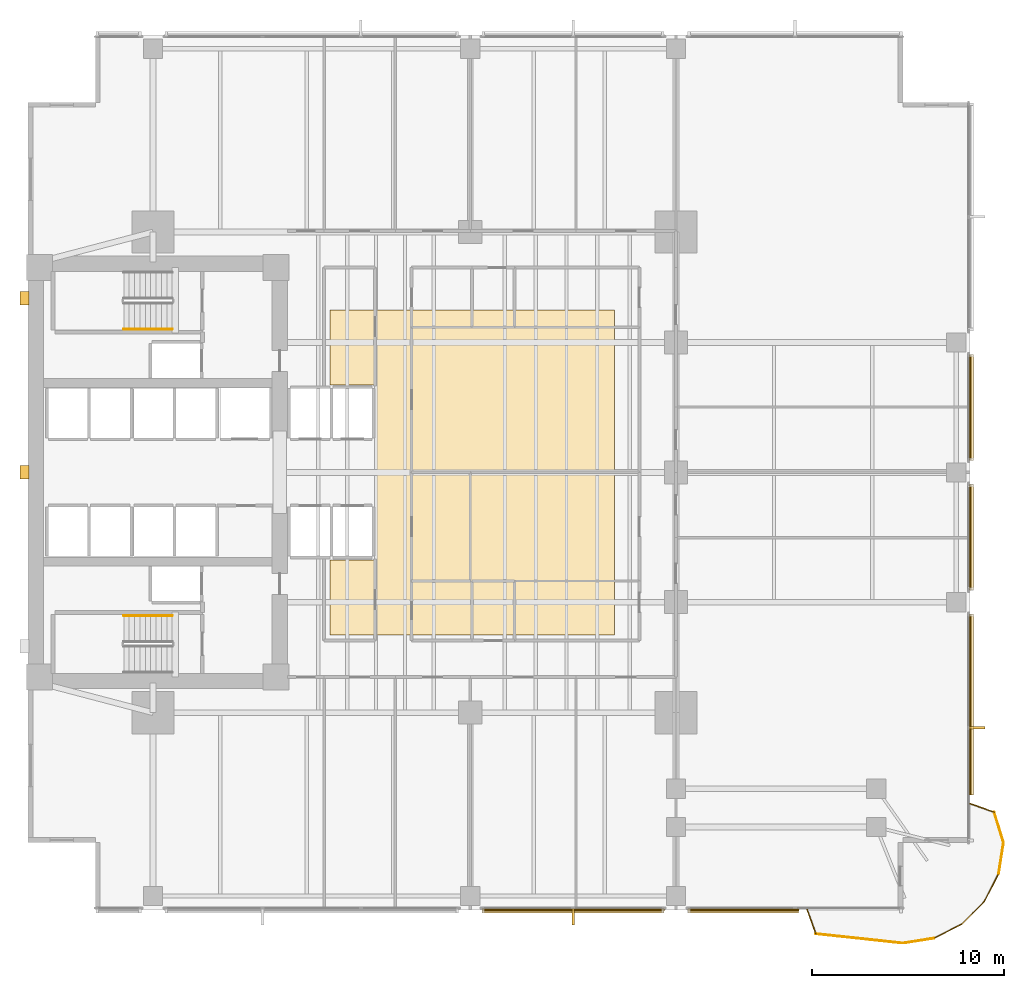
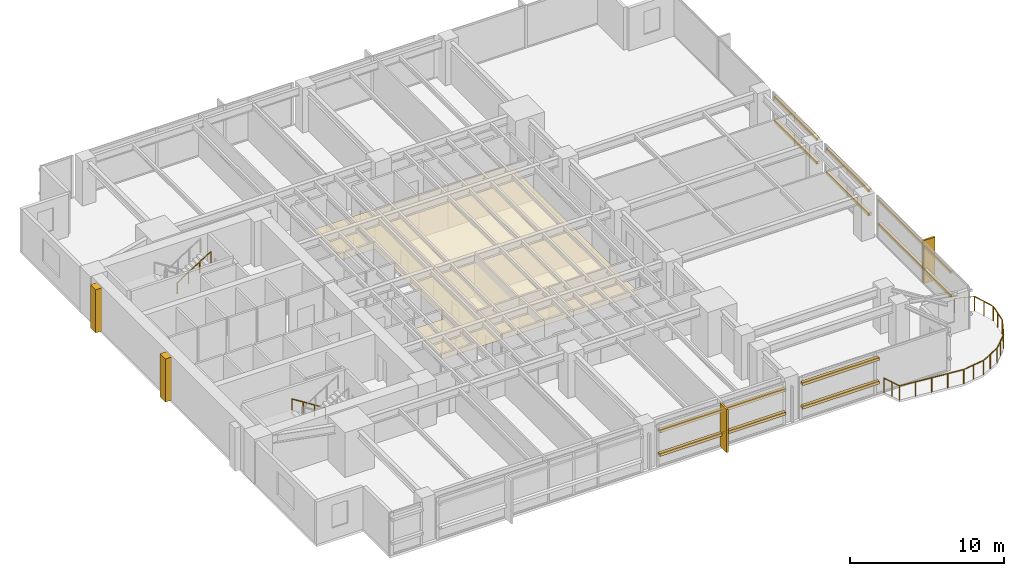
# One storey, part 13 of 15: 15 coverings, 11 railings, 10 shading devices.
"""IFC4 building model written with IfcOpenShell, lengths in metres."""

from ifc_helpers import new_model, si_unit, direction, frame, origin, origin_2d, place, context, subcontext, project, spatial, polyline, rectangle, circle, outline, extrude, material, layer, layer_set, material_profile, profile_set, type_object, element, save


model = new_model("IFC4")

# Units and contexts
model_context = context("Model", 3, precision=1e-05, world=origin(), true_north=direction((0.0, 1.0)))
body_context = subcontext(model_context, "Body", "Model", "MODEL_VIEW")
ifc_project = project(units=[si_unit("LENGTHUNIT", "METRE"), si_unit("AREAUNIT", "SQUARE_METRE"), si_unit("VOLUMEUNIT", "CUBIC_METRE"), si_unit("PLANEANGLEUNIT", "RADIAN"), si_unit("MASSUNIT", "GRAM", prefix="KILO")], contexts=[model_context])

# Site, building, storey
site_placement = place(None, origin())
site = spatial("IfcSite", under=ifc_project, at=site_placement, CompositionType="ELEMENT")
building_placement = place(site_placement, origin())
building = spatial("IfcBuilding", under=site, at=building_placement, Name="Kinhvarn Gate Tower", CompositionType="ELEMENT")
storey_placement = place(building_placement, frame((0.0, 0.0, 64.64990234375)))
storey = spatial("IfcBuildingStorey", under=building, at=storey_placement, Name="L16", CompositionType="ELEMENT", Elevation=64.64990234375)

# Coverings
ifc_material_1 = material(Name="Fired architectural terracotta", Category="masonry")
ifc_layer_1 = layer(ifc_material_1, 0.239990234375)
ifc_layer_set_1 = layer_set([ifc_layer_1], Name="Fired architectural terracotta")
covering_type_1 = type_object("IfcCoveringType", Name="COV-BAG-220", PredefinedType="CLADDING", material=ifc_layer_set_1)
for number, where, name in (
    (1, (0.0, 0.0, 0.940185546875), "Terracotta Horizontal Sunscreen Band TBG-220 (L16)"),
    (2, (0.0, 0.0, 2.81005859375), "Terracotta Horizontal Sunscreen Band TBG-220 (L16)"),
):
    element("IfcCovering", number, at=place(storey_placement, frame(where)), inside=storey, type_object=covering_type_1, Name=name, PredefinedType="CLADDING", context=body_context, shape_type="SweptSolid", body=[
        extrude(outline(polyline([(28.1201171875, 2.56005859375), (37.580078125, 2.56005859375), (37.580078125, 2.320068359375), (28.1201171875, 2.320068359375), (28.1201171875, 2.56005859375)])), origin(), (0.0, 0.0, 1.0), 0.219970703125),
    ])
for number, where, name in (
    (3, (0.0, 0.0, 0.940185546875), "Terracotta Horizontal Sunscreen Band TBG-220 (L16)"),
    (4, (0.0, 0.0, 2.81005859375), "Terracotta Horizontal Sunscreen Band TBG-220 (L16)"),
):
    element("IfcCovering", number, at=place(storey_placement, frame(where)), inside=storey, type_object=covering_type_1, Name=name, PredefinedType="CLADDING", context=body_context, shape_type="SweptSolid", body=[
        extrude(outline(polyline([(38.820068359375, 2.56005859375), (44.575927734375, 2.56005859375), (44.575927734375, 2.320068359375), (38.820068359375, 2.320068359375), (38.820068359375, 2.56005859375)])), origin(), (0.0, 0.0, 1.0), 0.219970703125),
    ])
for number, where, name in (
    (5, (0.0, 0.0, 0.940185546875), "Terracotta Horizontal Sunscreen Band TBG-220 (L16)"),
    (6, (0.0, 0.0, 2.81005859375), "Terracotta Horizontal Sunscreen Band TBG-220 (L16)"),
):
    element("IfcCovering", number, at=place(storey_placement, frame(where)), inside=storey, type_object=covering_type_1, Name=name, PredefinedType="CLADDING", context=body_context, shape_type="SweptSolid", body=[
        extrude(outline(polyline([(53.43994140625, 8.472900390625), (53.43994140625, 17.8798828125), (53.679931640625, 17.8798828125), (53.679931640625, 8.472900390625), (53.43994140625, 8.472900390625)])), origin(), (0.0, 0.0, 1.0), 0.219970703125),
    ])
for number, where, name in (
    (7, (0.0, 0.0, 0.940185546875), "Terracotta Horizontal Sunscreen Band TBG-220 (L16)"),
    (8, (0.0, 0.0, 2.81005859375), "Terracotta Horizontal Sunscreen Band TBG-220 (L16)"),
):
    element("IfcCovering", number, at=place(storey_placement, frame(where)), inside=storey, type_object=covering_type_1, Name=name, PredefinedType="CLADDING", context=body_context, shape_type="SweptSolid", body=[
        extrude(outline(polyline([(53.43994140625, 19.1201171875), (53.43994140625, 24.6298828125), (53.679931640625, 24.6298828125), (53.679931640625, 19.1201171875), (53.43994140625, 19.1201171875)])), origin(), (0.0, 0.0, 1.0), 0.219970703125),
    ])
for number, where, name in (
    (9, (0.0, 0.0, 0.940185546875), "Terracotta Horizontal Sunscreen Band TBG-220 (L16)"),
    (10, (0.0, 0.0, 2.81005859375), "Terracotta Horizontal Sunscreen Band TBG-220 (L16)"),
):
    element("IfcCovering", number, at=place(storey_placement, frame(where)), inside=storey, type_object=covering_type_1, Name=name, PredefinedType="CLADDING", context=body_context, shape_type="SweptSolid", body=[
        extrude(outline(polyline([(53.43994140625, 25.8701171875), (53.43994140625, 31.3798828125), (53.679931640625, 31.3798828125), (53.679931640625, 25.8701171875), (53.43994140625, 25.8701171875)])), origin(), (0.0, 0.0, 1.0), 0.219970703125),
    ])
ifc_material_2 = material(Name="Mineral-fibre acoustic ceiling tile")
ifc_layer_2 = layer(ifc_material_2, 0.02001953125)
ifc_layer_set_2 = layer_set([ifc_layer_2], Name="Mineral-fibre acoustic ceiling tile")
covering_type_2 = type_object("IfcCoveringType", Name="COV-CEIL-20", PredefinedType="CEILING", material=ifc_layer_set_2)
covering_1_placement = place(storey_placement, frame((0.0, 0.0, 2.650146484375)))
element("IfcCovering", 11, at=covering_1_placement, inside=storey, type_object=covering_type_2, Name="Suspended Acoustic Ceiling Tile (L16-1)", PredefinedType="CEILING", context=body_context, shape_type="SweptSolid", body=[
    extrude(outline(polyline([(35.0, 33.699951171875), (35.0, 16.800048828125), (20.199951171875, 16.800048828125), (20.199951171875, 20.699951171875), (22.60009765625, 20.699951171875), (22.60009765625, 29.800048828125), (20.199951171875, 29.800048828125), (20.199951171875, 33.699951171875), (35.0, 33.699951171875)])), origin(), (0.0, 0.0, 1.0), 0.02001953125),
])
ifc_layer_3 = layer(ifc_material_1, 0.139892578125)
ifc_layer_set_3 = layer_set([ifc_layer_3], Name="Fired architectural terracotta")
covering_type_3 = type_object("IfcCoveringType", Name="COV-FIN-850", PredefinedType="CLADDING", material=ifc_layer_set_3)
covering_2_placement = place(storey_placement, frame((0.0, 0.0, -0.02001953125)))
element("IfcCovering", 12, at=covering_2_placement, inside=storey, type_object=covering_type_3, Name="Vertical Terracotta Expressive Fin TFN-850 (L16)", PredefinedType="CLADDING", context=body_context, shape_type="SweptSolid", body=[
    extrude(outline(polyline([(32.780029296875, 2.570068359375), (32.919921875, 2.570068359375), (32.919921875, 1.719970703125), (32.780029296875, 1.719970703125), (32.780029296875, 2.570068359375)])), origin(), (0.0, 0.0, 1.0), 3.41015625),
])
covering_3_placement = place(storey_placement, frame((0.0, 0.0, -0.02001953125)))
element("IfcCovering", 13, at=covering_3_placement, inside=storey, type_object=covering_type_3, Name="Vertical Terracotta Expressive Fin TFN-850 (L16)", PredefinedType="CLADDING", context=body_context, shape_type="SweptSolid", body=[
    extrude(outline(polyline([(53.429931640625, 11.889892578125), (53.429931640625, 12.030029296875), (54.280029296875, 12.030029296875), (54.280029296875, 11.889892578125), (53.429931640625, 11.889892578125)])), origin(), (0.0, 0.0, 1.0), 3.41015625),
])
ifc_material_3 = material(Name="Precast white architectural concrete C40/50", Category="concrete")
ifc_layer_4 = layer(ifc_material_3, 0.47998046875)
ifc_layer_set_4 = layer_set([ifc_layer_4], Name="Precast white architectural concrete C40/50")
covering_type_4 = type_object("IfcCoveringType", Name="COV-RIB-450", PredefinedType="CLADDING", material=ifc_layer_set_4)
covering_4_placement = place(storey_placement, frame((0.0, 0.0, -0.02001953125)))
element("IfcCovering", 14, at=covering_4_placement, inside=storey, type_object=covering_type_4, Name="West Core Sculptural Concrete Relief Rib CRB-450 (L16)", PredefinedType="CLADDING", context=body_context, shape_type="SweptSolid", body=[
    extrude(outline(polyline([(4.080078125, 24.89990234375), (4.56005859375, 24.89990234375), (4.56005859375, 25.60009765625), (4.080078125, 25.60009765625), (4.080078125, 24.89990234375)])), origin(), (0.0, 0.0, 1.0), 3.41015625),
])
covering_5_placement = place(storey_placement, frame((0.0, 0.0, -0.02001953125)))
element("IfcCovering", 15, at=covering_5_placement, inside=storey, type_object=covering_type_4, Name="West Core Sculptural Concrete Relief Rib CRB-450 (L16)", PredefinedType="CLADDING", context=body_context, shape_type="SweptSolid", body=[
    extrude(outline(polyline([(4.080078125, 33.949951171875), (4.56005859375, 33.949951171875), (4.56005859375, 34.64990234375), (4.080078125, 34.64990234375), (4.080078125, 33.949951171875)])), origin(), (0.0, 0.0, 1.0), 3.41015625),
])

# Railings
ifc_material_4 = material(Name="Clear low-e double glazing", Category="glass")
railing_type_1 = type_object("IfcRailingType", Name="RL-BAL-1150", PredefinedType="BALUSTRADE", material=ifc_material_4)
railing_1_placement = place(storey_placement, frame((45.02587890625, 2.5, 0.0)))
element("IfcRailing", 16, at=railing_1_placement, inside=storey, type_object=railing_type_1, Name="S-Carve Balcony Guardrail Seg 1 (L16)", PredefinedType="BALUSTRADE", context=body_context, shape_type="SweptSolid", body=[
    extrude(circle(Radius=0.02392578125, at=origin_2d()), frame((0.0, 0.0, 1.1259765625), z_axis=(0.338498449912, -0.940966949158, 0.0), x_axis=(0.940966949158, 0.338498449912, 0.0)), (0.0, 0.0, 1.0), 1.330078125),
    extrude(circle(Radius=0.02099609375, at=origin_2d()), origin(), (0.0, 0.0, 1.0), 1.101806640625),
    extrude(circle(Radius=0.02099609375, at=origin_2d()), frame((0.22509765625, -0.625732421875, 0.0)), (0.0, 0.0, 1.0), 1.101806640625),
    extrude(circle(Radius=0.02099609375, at=origin_2d()), frame((0.4501953125, -1.25146484375, 0.0)), (0.0, 0.0, 1.0), 1.101806640625),
])
railing_2_placement = place(storey_placement, frame((45.47607421875, 1.24853515625, 0.0)))
element("IfcRailing", 17, at=railing_2_placement, inside=storey, type_object=railing_type_1, Name="S-Carve Balcony Guardrail Seg 2 (L16)", PredefinedType="BALUSTRADE", context=body_context, shape_type="SweptSolid", body=[
    extrude(circle(Radius=0.02392578125, at=origin_2d()), frame((0.0, 0.0, 1.1259765625), z_axis=(0.994265631356, -0.106938553874, 0.0), x_axis=(0.106938553874, 0.994265631356, 0.0)), (0.0, 0.0, 1.0), 4.550048828125),
    extrude(circle(Radius=0.02099609375, at=origin_2d()), origin(), (0.0, 0.0, 1.0), 1.101806640625),
    extrude(circle(Radius=0.02099609375, at=origin_2d()), frame((1.130859375, -0.12158203125, 0.0)), (0.0, 0.0, 1.0), 1.101806640625),
    extrude(circle(Radius=0.02099609375, at=origin_2d()), frame((2.261962890625, -0.2431640625, 0.0)), (0.0, 0.0, 1.0), 1.101806640625),
    extrude(circle(Radius=0.02099609375, at=origin_2d()), frame((3.39306640625, -0.364990234375, 0.0)), (0.0, 0.0, 1.0), 1.101806640625),
    extrude(circle(Radius=0.02099609375, at=origin_2d()), frame((4.52392578125, -0.486572265625, 0.0)), (0.0, 0.0, 1.0), 1.101806640625),
])
railing_3_placement = place(storey_placement, frame((50.0, 0.761962890625, 0.0)))
element("IfcRailing", 18, at=railing_3_placement, inside=storey, type_object=railing_type_1, Name="S-Carve Balcony Guardrail Seg 3 (L16)", PredefinedType="BALUSTRADE", context=body_context, shape_type="SweptSolid", body=[
    extrude(circle(Radius=0.02392578125, at=origin_2d()), frame((0.0, 0.0, 1.1259765625), z_axis=(0.987690385378, 0.156421554245, 0.0), x_axis=(-0.156421554245, 0.987690385378, 0.0)), (0.0, 0.0, 1.0), 1.638916015625),
    extrude(circle(Radius=0.02099609375, at=origin_2d()), origin(), (0.0, 0.0, 1.0), 1.101806640625),
    extrude(circle(Radius=0.02099609375, at=origin_2d()), frame((0.809326171875, 0.128173828125, 0.0)), (0.0, 0.0, 1.0), 1.101806640625),
    extrude(circle(Radius=0.02099609375, at=origin_2d()), frame((1.61865234375, 0.25634765625, 0.0)), (0.0, 0.0, 1.0), 1.101806640625),
])
railing_4_placement = place(storey_placement, frame((51.61865234375, 1.018310546875, 0.0)))
element("IfcRailing", 19, at=railing_4_placement, inside=storey, type_object=railing_type_1, Name="S-Carve Balcony Guardrail Seg 4 (L16)", PredefinedType="BALUSTRADE", context=body_context, shape_type="SweptSolid", body=[
    extrude(circle(Radius=0.02392578125, at=origin_2d()), frame((0.0, 0.0, 1.1259765625), z_axis=(0.890974688176, 0.454052976017, 0.0), x_axis=(-0.454052976017, 0.890974688176, 0.0)), (0.0, 0.0, 1.0), 1.638916015625),
    extrude(circle(Radius=0.02099609375, at=origin_2d()), origin(), (0.0, 0.0, 1.0), 1.101806640625),
    extrude(circle(Radius=0.02099609375, at=origin_2d()), frame((0.72998046875, 0.3720703125, 0.0)), (0.0, 0.0, 1.0), 1.101806640625),
    extrude(circle(Radius=0.02099609375, at=origin_2d()), frame((1.460205078125, 0.744140625, 0.0)), (0.0, 0.0, 1.0), 1.101806640625),
])
railing_5_placement = place(storey_placement, frame((53.078857421875, 1.762451171875, 0.0)))
element("IfcRailing", 20, at=railing_5_placement, inside=storey, type_object=railing_type_1, Name="S-Carve Balcony Guardrail Seg 5 (L16)", PredefinedType="BALUSTRADE", context=body_context, shape_type="SweptSolid", body=[
    extrude(circle(Radius=0.02392578125, at=origin_2d()), frame((0.0, 0.0, 1.1259765625), z_axis=(0.707106781187, 0.707106781187, 0.0), x_axis=(-0.707106781187, 0.707106781187, 0.0)), (0.0, 0.0, 1.0), 1.638671875),
    extrude(circle(Radius=0.02099609375, at=origin_2d()), origin(), (0.0, 0.0, 1.0), 1.101806640625),
    extrude(circle(Radius=0.02099609375, at=origin_2d()), frame((0.579345703125, 0.579345703125, 0.0)), (0.0, 0.0, 1.0), 1.101806640625),
    extrude(circle(Radius=0.02099609375, at=origin_2d()), frame((1.15869140625, 1.15869140625, 0.0)), (0.0, 0.0, 1.0), 1.101806640625),
])
railing_6_placement = place(storey_placement, frame((54.237548828125, 2.921142578125, 0.0)))
element("IfcRailing", 21, at=railing_6_placement, inside=storey, type_object=railing_type_1, Name="S-Carve Balcony Guardrail Seg 6 (L16)", PredefinedType="BALUSTRADE", context=body_context, shape_type="SweptSolid", body=[
    extrude(circle(Radius=0.02392578125, at=origin_2d()), frame((0.0, 0.0, 1.1259765625), z_axis=(0.454052976017, 0.890974688176, 0.0), x_axis=(-0.890974688176, 0.454052976017, 0.0)), (0.0, 0.0, 1.0), 1.638916015625),
    extrude(circle(Radius=0.02099609375, at=origin_2d()), origin(), (0.0, 0.0, 1.0), 1.101806640625),
    extrude(circle(Radius=0.02099609375, at=origin_2d()), frame((0.3720703125, 0.72998046875, 0.0)), (0.0, 0.0, 1.0), 1.101806640625),
    extrude(circle(Radius=0.02099609375, at=origin_2d()), frame((0.744140625, 1.460205078125, 0.0)), (0.0, 0.0, 1.0), 1.101806640625),
])
railing_7_placement = place(storey_placement, frame((54.981689453125, 4.38134765625, 0.0)))
element("IfcRailing", 22, at=railing_7_placement, inside=storey, type_object=railing_type_1, Name="S-Carve Balcony Guardrail Seg 7 (L16)", PredefinedType="BALUSTRADE", context=body_context, shape_type="SweptSolid", body=[
    extrude(circle(Radius=0.02392578125, at=origin_2d()), frame((0.0, 0.0, 1.1259765625), z_axis=(0.156421554245, 0.987690385378, 0.0), x_axis=(-0.987690385378, 0.156421554245, 0.0)), (0.0, 0.0, 1.0), 1.638916015625),
    extrude(circle(Radius=0.02099609375, at=origin_2d()), origin(), (0.0, 0.0, 1.0), 1.101806640625),
    extrude(circle(Radius=0.02099609375, at=origin_2d()), frame((0.128173828125, 0.809326171875, 0.0)), (0.0, 0.0, 1.0), 1.101806640625),
    extrude(circle(Radius=0.02099609375, at=origin_2d()), frame((0.25634765625, 1.61865234375, 0.0)), (0.0, 0.0, 1.0), 1.101806640625),
])
railing_8_placement = place(storey_placement, frame((55.238037109375, 6.0, 0.0)))
element("IfcRailing", 23, at=railing_8_placement, inside=storey, type_object=railing_type_1, Name="S-Carve Balcony Guardrail Seg 8 (L16)", PredefinedType="BALUSTRADE", context=body_context, shape_type="SweptSolid", body=[
    extrude(circle(Radius=0.02392578125, at=origin_2d()), frame((0.0, 0.0, 1.1259765625), z_axis=(-0.295512972622, 0.955338726846, 0.0), x_axis=(-0.955338726846, -0.295512972622, 0.0)), (0.0, 0.0, 1.0), 1.646484375),
    extrude(circle(Radius=0.02099609375, at=origin_2d()), origin(), (0.0, 0.0, 1.0), 1.101806640625),
    extrude(circle(Radius=0.02099609375, at=origin_2d()), frame((-0.2431640625, 0.78662109375, 0.0)), (0.0, 0.0, 1.0), 1.101806640625),
    extrude(circle(Radius=0.02099609375, at=origin_2d()), frame((-0.486572265625, 1.572998046875, 0.0)), (0.0, 0.0, 1.0), 1.101806640625),
])
railing_9_placement = place(storey_placement, frame((54.75146484375, 7.572998046875, 0.0)))
element("IfcRailing", 24, at=railing_9_placement, inside=storey, type_object=railing_type_1, Name="S-Carve Balcony Guardrail Seg 9 (L16)", PredefinedType="BALUSTRADE", context=body_context, shape_type="SweptSolid", body=[
    extrude(circle(Radius=0.02392578125, at=origin_2d()), frame((0.0, 0.0, 1.1259765625), z_axis=(-0.941025407907, 0.338335900658, 0.0), x_axis=(-0.338335900658, -0.941025407907, 0.0)), (0.0, 0.0, 1.0), 1.329833984375),
    extrude(circle(Radius=0.02099609375, at=origin_2d()), origin(), (0.0, 0.0, 1.0), 1.101806640625),
    extrude(circle(Radius=0.02099609375, at=origin_2d()), frame((-0.625732421875, 0.22509765625, 0.0)), (0.0, 0.0, 1.0), 1.101806640625),
    extrude(circle(Radius=0.02099609375, at=origin_2d()), frame((-1.25146484375, 0.449951171875, 0.0)), (0.0, 0.0, 1.0), 1.101806640625),
])
ifc_material_5 = material(Name="Steel S355", Category="steel")
railing_type_2 = type_object("IfcRailingType", Name="RL-ST-HND", PredefinedType="HANDRAIL", material=ifc_material_5)
railing_10_placement = place(storey_placement, frame((12.0, 17.800048828125, 0.177490234375)))
element("IfcRailing", 25, at=railing_10_placement, inside=storey, type_object=railing_type_2, Name="L16 ST1 stair handrail 1", PredefinedType="HANDRAIL", context=body_context, shape_type="SweptSolid", body=[
    extrude(circle(Radius=0.02392578125, at=origin_2d()), frame((0.0, 0.0, 0.8759765625), z_axis=(-0.84456994832, 0.0, 0.535445237532), x_axis=(0.0, -1.0, 0.0)), (0.0, 0.0, 1.0), 2.98388671875),
    extrude(circle(Radius=0.02099609375, at=origin_2d()), origin(), (0.0, 0.0, 1.0), 0.851806640625),
    extrude(circle(Radius=0.02099609375, at=origin_2d()), frame((-0.840087890625, 0.0, 0.532470703125)), (0.0, 0.0, 1.0), 0.851806640625),
    extrude(circle(Radius=0.02099609375, at=origin_2d()), frame((-1.679931640625, 0.0, 1.065185546875)), (0.0, 0.0, 1.0), 0.851806640625),
    extrude(circle(Radius=0.02099609375, at=origin_2d()), frame((-2.52001953125, 0.0, 1.59765625)), (0.0, 0.0, 1.0), 0.851806640625),
])
railing_11_placement = place(storey_placement, frame((9.47998046875, 32.699951171875, 1.95263671875)))
element("IfcRailing", 26, at=railing_11_placement, inside=storey, type_object=railing_type_2, Name="L16 ST2 stair handrail 2", PredefinedType="HANDRAIL", context=body_context, shape_type="SweptSolid", body=[
    extrude(circle(Radius=0.02392578125, at=origin_2d()), frame((0.0, 0.0, 0.8759765625), z_axis=(0.84460694969, 0.0, 0.535386869969), x_axis=(0.0, 1.0, 0.0)), (0.0, 0.0, 1.0), 2.983642578125),
    extrude(circle(Radius=0.02099609375, at=origin_2d()), origin(), (0.0, 0.0, 1.0), 0.851806640625),
    extrude(circle(Radius=0.02099609375, at=origin_2d()), frame((0.840087890625, 0.0, 0.532470703125)), (0.0, 0.0, 1.0), 0.851806640625),
    extrude(circle(Radius=0.02099609375, at=origin_2d()), frame((1.679931640625, 0.0, 1.06494140625)), (0.0, 0.0, 1.0), 0.851806640625),
    extrude(circle(Radius=0.02099609375, at=origin_2d()), frame((2.52001953125, 0.0, 1.597412109375)), (0.0, 0.0, 1.0), 0.851806640625),
])

# Shading devices
ifc_material_profile = material_profile(ifc_material_1, rectangle(XDim=0.06005859375, YDim=0.139892578125, at=origin_2d()), Name="TC 60x140")
ifc_profile_set = profile_set([ifc_material_profile], Name="Fired architectural terracotta")
shading_device_type = type_object("IfcShadingDeviceType", Name="SHD-BAG-180", PredefinedType="USERDEFINED", material=ifc_profile_set)
for number, where, z_axis, x_axis, name in (
    (27, (28.1201171875, 2.485107421875, 1.050048828125), (1.0, 0.0, 0.0), (0.0, 1.0, 0.0), "Fired Terracotta Baguette Screen Rod 60x140 mm (L16)"),
    (28, (28.1201171875, 2.485107421875, 2.920166015625), (1.0, 0.0, 0.0), (0.0, 1.0, 0.0), "Fired Terracotta Baguette Screen Rod 60x140 mm (L16)"),
):
    element("IfcShadingDevice", number, at=place(storey_placement, frame(where, z_axis=z_axis, x_axis=x_axis)), inside=storey, type_object=shading_device_type, Name=name, ObjectType="BAGUETTE", PredefinedType="USERDEFINED", context=body_context, shape_type="SweptSolid", body=[
        extrude(rectangle(XDim=0.06005859375, YDim=0.139892578125, at=origin_2d()), origin(), (0.0, 0.0, 1.0), 9.4599609375),
    ])
for number, where, z_axis, x_axis, name in (
    (29, (38.820068359375, 2.485107421875, 1.050048828125), (1.0, 0.0, 0.0), (0.0, 1.0, 0.0), "Fired Terracotta Baguette Screen Rod 60x140 mm (L16)"),
    (30, (38.820068359375, 2.485107421875, 2.920166015625), (1.0, 0.0, 0.0), (0.0, 1.0, 0.0), "Fired Terracotta Baguette Screen Rod 60x140 mm (L16)"),
):
    element("IfcShadingDevice", number, at=place(storey_placement, frame(where, z_axis=z_axis, x_axis=x_axis)), inside=storey, type_object=shading_device_type, Name=name, ObjectType="BAGUETTE", PredefinedType="USERDEFINED", context=body_context, shape_type="SweptSolid", body=[
        extrude(rectangle(XDim=0.06005859375, YDim=0.139892578125, at=origin_2d()), origin(), (0.0, 0.0, 1.0), 5.755859375),
    ])
for number, where, z_axis, x_axis, name in (
    (31, (53.514892578125, 8.472900390625, 1.050048828125), (0.0, 1.0, 0.0), (-1.0, 0.0, 0.0), "Fired Terracotta Baguette Screen Rod 60x140 mm (L16)"),
    (32, (53.514892578125, 8.472900390625, 2.920166015625), (0.0, 1.0, 0.0), (-1.0, 0.0, 0.0), "Fired Terracotta Baguette Screen Rod 60x140 mm (L16)"),
):
    element("IfcShadingDevice", number, at=place(storey_placement, frame(where, z_axis=z_axis, x_axis=x_axis)), inside=storey, type_object=shading_device_type, Name=name, ObjectType="BAGUETTE", PredefinedType="USERDEFINED", context=body_context, shape_type="SweptSolid", body=[
        extrude(rectangle(XDim=0.06005859375, YDim=0.139892578125, at=origin_2d()), origin(), (0.0, 0.0, 1.0), 9.406982421875),
    ])
for number, where, z_axis, x_axis, name in (
    (33, (53.514892578125, 19.1201171875, 1.050048828125), (0.0, 1.0, 0.0), (-1.0, 0.0, 0.0), "Fired Terracotta Baguette Screen Rod 60x140 mm (L16)"),
    (34, (53.514892578125, 19.1201171875, 2.920166015625), (0.0, 1.0, 0.0), (-1.0, 0.0, 0.0), "Fired Terracotta Baguette Screen Rod 60x140 mm (L16)"),
    (35, (53.514892578125, 25.8701171875, 1.050048828125), (0.0, 1.0, 0.0), (-1.0, 0.0, 0.0), "Fired Terracotta Baguette Screen Rod 60x140 mm (L16)"),
    (36, (53.514892578125, 25.8701171875, 2.920166015625), (0.0, 1.0, 0.0), (-1.0, 0.0, 0.0), "Fired Terracotta Baguette Screen Rod 60x140 mm (L16)"),
):
    element("IfcShadingDevice", number, at=place(storey_placement, frame(where, z_axis=z_axis, x_axis=x_axis)), inside=storey, type_object=shading_device_type, Name=name, ObjectType="BAGUETTE", PredefinedType="USERDEFINED", context=body_context, shape_type="SweptSolid", body=[
        extrude(rectangle(XDim=0.06005859375, YDim=0.139892578125, at=origin_2d()), origin(), (0.0, 0.0, 1.0), 5.509765625),
    ])

save(model, "model.ifc")
